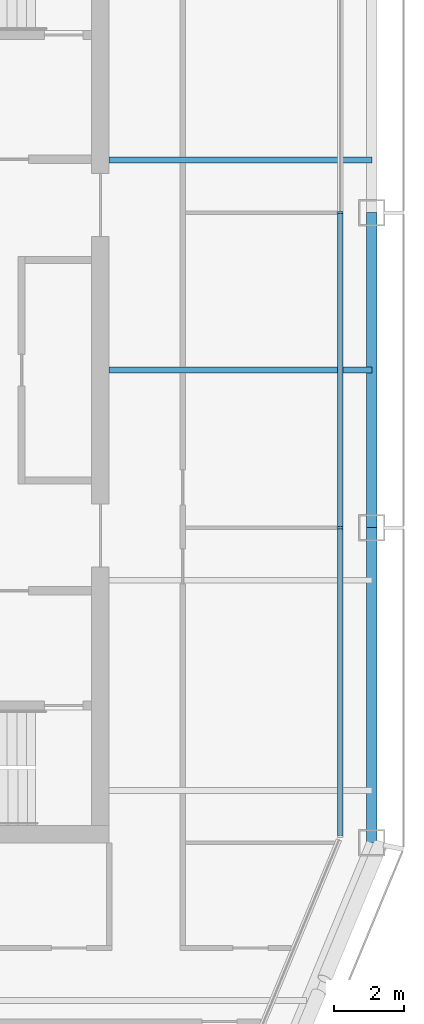
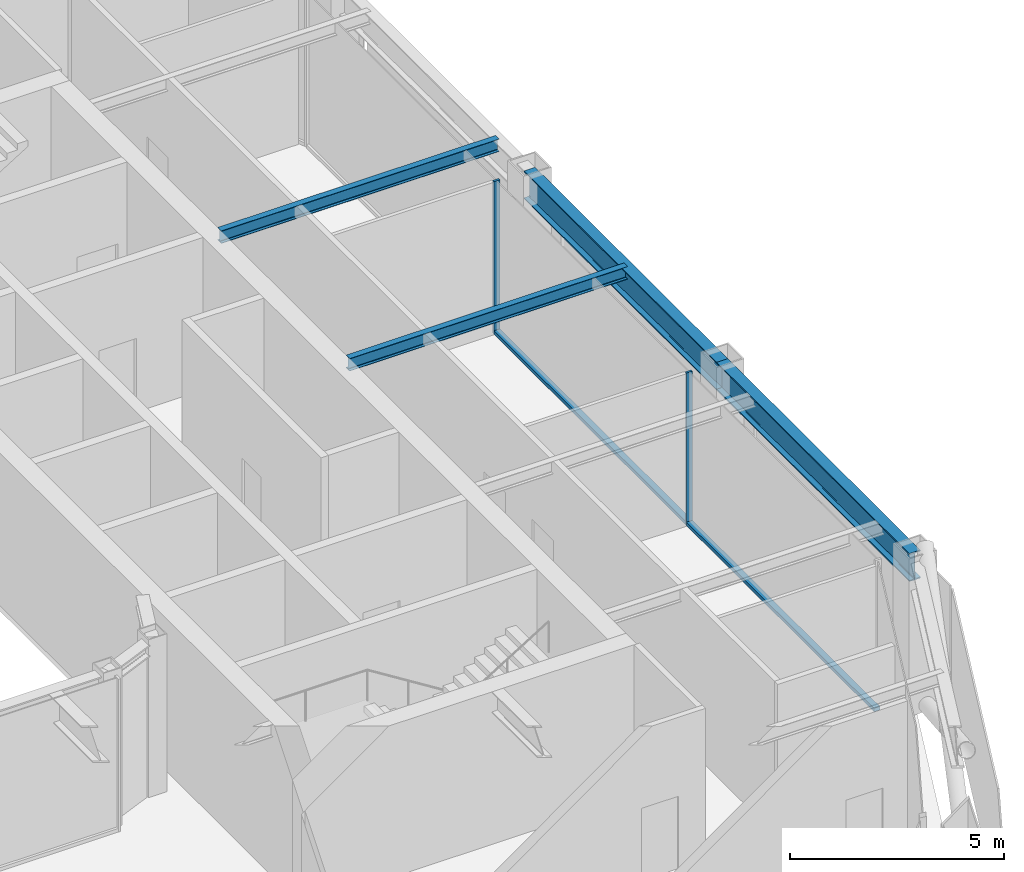
# One storey, part 5 of 17: 4 beams, 4 members, 1 element without a shape of its own.
"""IFC4 building model written with IfcOpenShell, lengths in metres."""

from ifc_helpers import new_model, si_unit, direction, frame, origin, origin_2d, place, context, subcontext, project, spatial, rectangle, i_section, extrude, material, layer, layer_set, material_profile, profile_set, type_object, element, aggregate, save


model = new_model("IFC4")

# Units and contexts
model_context = context("Model", 3, precision=1e-05, world=origin(), true_north=direction((0.0, 1.0)))
body_context = subcontext(model_context, "Body", "Model", "MODEL_VIEW")
ifc_project = project(units=[si_unit("LENGTHUNIT", "METRE"), si_unit("AREAUNIT", "SQUARE_METRE"), si_unit("VOLUMEUNIT", "CUBIC_METRE"), si_unit("PLANEANGLEUNIT", "RADIAN"), si_unit("MASSUNIT", "GRAM", prefix="KILO")], contexts=[model_context])

# Site, building, storey
site_placement = place(None, origin())
site = spatial("IfcSite", under=ifc_project, at=site_placement, CompositionType="ELEMENT")
building_placement = place(site_placement, origin())
building = spatial("IfcBuilding", under=site, at=building_placement, Name="Siwar Civic Tower", CompositionType="ELEMENT")
storey_placement = place(building_placement, frame((0.0, 0.0, 289.699951171875)))
storey = spatial("IfcBuildingStorey", under=building, at=storey_placement, Name="L62", CompositionType="ELEMENT", Elevation=289.699951171875)

# Curtain wall, members
ifc_material_1 = material(Name="Aluminium and glass", Category="aluminium")
ifc_layer = layer(ifc_material_1, 0.159912109375)
ifc_layer_set = layer_set([ifc_layer], Name="Aluminium and glass")
curtain_wall_type = type_object("IfcCurtainWallType", Name="ENV-CW-D", PredefinedType="NOTDEFINED", material=ifc_layer_set)
curtain_wall_placement = place(storey_placement, origin())
curtain_wall = element("IfcCurtainWall", 1, at=curtain_wall_placement, inside=storey, type_object=curtain_wall_type, Name="Curtain wall D E", PredefinedType="NOTDEFINED")
ifc_material_2 = material(Name="Aluminium 6063-T6", Category="aluminium")
ifc_material_profile_1 = material_profile(ifc_material_2, rectangle(XDim=0.159912109375, YDim=0.06005859375, at=origin_2d()), Name="AL 160x60")
ifc_profile_set_1 = profile_set([ifc_material_profile_1], Name="Aluminium 6063-T6")
member_type_1 = type_object("IfcMemberType", Name="ENV-MULLION-D", PredefinedType="MULLION", material=ifc_profile_set_1)
member_1_placement = place(storey_placement, frame((23.85009765625, -4.5, 0.0), z_axis=(0.0, 0.0, 1.0), x_axis=(-1.0, 0.0, 0.0)))
member_1 = element("IfcMember", 2, at=member_1_placement, type_object=member_type_1, Name="Mullion D E 2", PredefinedType="MULLION", context=body_context, shape_type="SweptSolid", body=[
    extrude(rectangle(XDim=0.159912109375, YDim=0.06005859375, at=origin_2d()), origin(), (0.0, 0.0, 1.0), 4.35009765625),
])
member_2_placement = place(storey_placement, frame((23.85009765625, 4.5, 0.0), z_axis=(0.0, 0.0, 1.0), x_axis=(-1.0, 0.0, 0.0)))
member_2 = element("IfcMember", 3, at=member_2_placement, type_object=member_type_1, Name="Mullion D E 3", PredefinedType="MULLION", context=body_context, shape_type="SweptSolid", body=[
    extrude(rectangle(XDim=0.159912109375, YDim=0.06005859375, at=origin_2d()), origin(), (0.0, 0.0, 1.0), 4.35009765625),
])
ifc_material_3 = material(Name="Aluminium 6063-T6", Category="aluminium")
ifc_material_profile_2 = material_profile(ifc_material_3, rectangle(XDim=0.159912109375, YDim=0.10009765625, at=origin_2d()), Name="AL 160x100")
ifc_profile_set_2 = profile_set([ifc_material_profile_2], Name="Aluminium 6063-T6")
member_type_2 = type_object("IfcMemberType", Name="ENV-TRANSOM-D", PredefinedType="USERDEFINED", material=ifc_profile_set_2)
member_3_placement = place(storey_placement, frame((23.85009765625, -13.291015625, 0.050048828125), z_axis=(0.0, 1.0, 0.0), x_axis=(-1.0, 0.0, 0.0)))
member_3 = element("IfcMember", 4, at=member_3_placement, type_object=member_type_2, Name="Transom D E 1", ObjectType="TRANSOM", PredefinedType="USERDEFINED", context=body_context, shape_type="SweptSolid", body=[
    extrude(rectangle(XDim=0.159912109375, YDim=0.10009765625, at=origin_2d()), origin(), (0.0, 0.0, 1.0), 8.760986328125),
])
member_4_placement = place(storey_placement, frame((23.85009765625, -4.469970703125, 0.050048828125), z_axis=(0.0, 1.0, 0.0), x_axis=(-1.0, 0.0, 0.0)))
member_4 = element("IfcMember", 5, at=member_4_placement, type_object=member_type_2, Name="Transom D E 2", ObjectType="TRANSOM", PredefinedType="USERDEFINED", context=body_context, shape_type="SweptSolid", body=[
    extrude(rectangle(XDim=0.159912109375, YDim=0.10009765625, at=origin_2d()), origin(), (0.0, 0.0, 1.0), 8.93994140625),
])
aggregate(curtain_wall, [member_1, member_2, member_3, member_4])

# Beams
ifc_material_4 = material(Name="Steel S355", Category="steel")
ifc_material_profile_3 = material_profile(ifc_material_4, i_section(OverallWidth=0.169921875, OverallDepth=0.360107421875, WebThickness=0.008056640625, FlangeThickness=0.0126953125, FilletRadius=0.01806640625, at=origin_2d()), Name="IPE360")
ifc_profile_set_3 = profile_set([ifc_material_profile_3], Name="Steel S355")
beam_type_1 = type_object("IfcBeamType", Name="STR-FB-IPE360", PredefinedType="JOIST", material=ifc_profile_set_3)
for number, where, z_axis, x_axis, name in (
    (6, (17.25, 0.0, 4.170166015625), (1.0, 0.0, 0.0), (0.0, 1.0, 0.0), "L62/bm/F019"),
    (7, (17.25, 6.0, 4.170166015625), (1.0, 0.0, 0.0), (0.0, 1.0, 0.0), "L62/bm/F021"),
):
    element("IfcBeam", number, at=place(storey_placement, frame(where, z_axis=z_axis, x_axis=x_axis)), inside=storey, type_object=beam_type_1, Name=name, PredefinedType="JOIST", context=body_context, shape_type="SweptSolid", body=[
        extrude(i_section(OverallWidth=0.169921875, OverallDepth=0.360107421875, WebThickness=0.008056640625, FlangeThickness=0.0126953125, FilletRadius=0.01806640625, at=origin_2d()), origin(), (0.0, 0.0, 1.0), 7.5),
    ])
ifc_material_5 = material(Name="Steel S355", Category="steel")
ifc_material_profile_4 = material_profile(ifc_material_5, i_section(OverallWidth=0.300048828125, OverallDepth=0.800048828125, WebThickness=0.017578125, FlangeThickness=0.032958984375, FilletRadius=0.030029296875, at=origin_2d()), Name="HEB800")
ifc_profile_set_4 = profile_set([ifc_material_profile_4], Name="Steel S355")
beam_type_2 = type_object("IfcBeamType", Name="STR-SB-HEB800", PredefinedType="BEAM", material=ifc_profile_set_4)
for number, where, z_axis, x_axis, name in (
    (8, (24.75, -13.5, 3.949951171875), (0.0, 1.0, 0.0), (-1.0, 0.0, 0.0), "L62/bm/SE-0"),
    (9, (24.75, -4.5, 3.949951171875), (0.0, 1.0, 0.0), (-1.0, 0.0, 0.0), "L62/bm/SE-1"),
):
    element("IfcBeam", number, at=place(storey_placement, frame(where, z_axis=z_axis, x_axis=x_axis)), inside=storey, type_object=beam_type_2, Name=name, PredefinedType="BEAM", context=body_context, shape_type="SweptSolid", body=[
        extrude(i_section(OverallWidth=0.300048828125, OverallDepth=0.800048828125, WebThickness=0.017578125, FlangeThickness=0.032958984375, FilletRadius=0.030029296875, at=origin_2d()), origin(), (0.0, 0.0, 1.0), 9.0),
    ])

save(model, "model.ifc")
